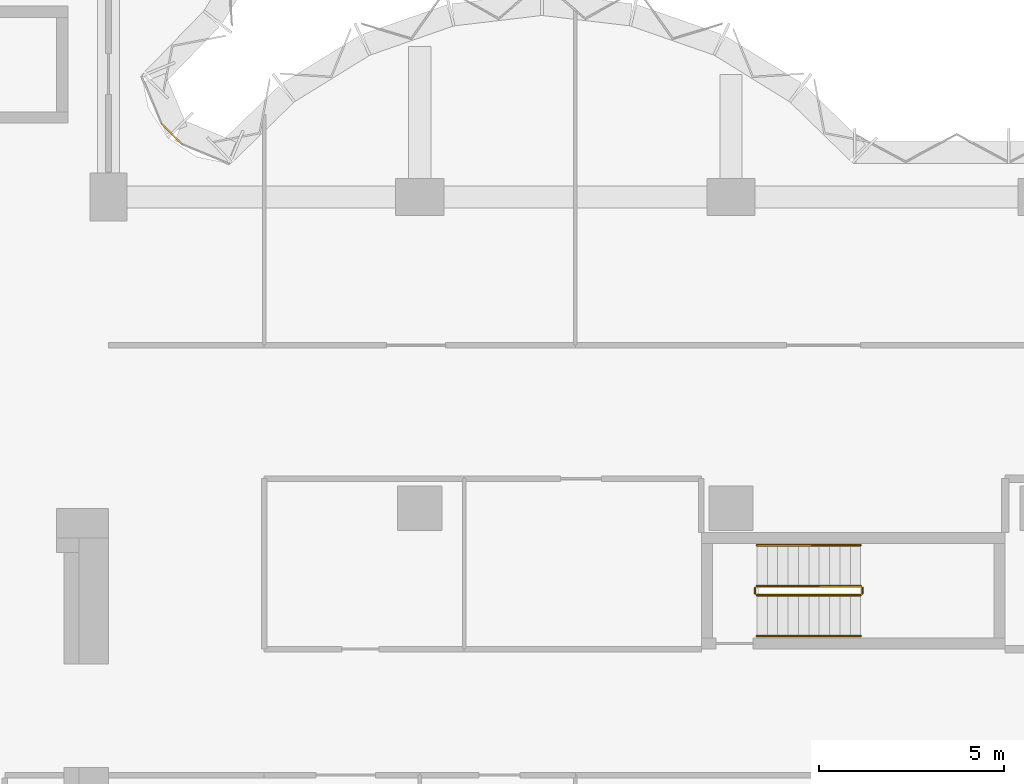
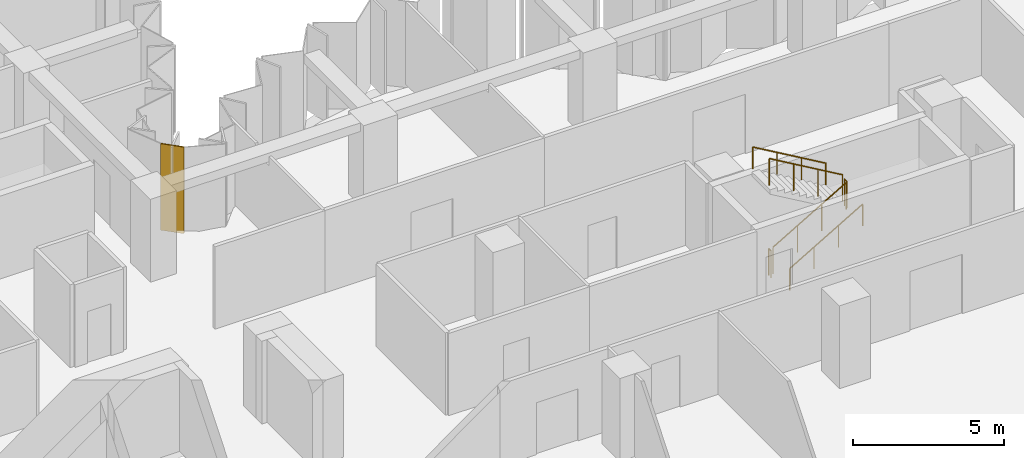
# One storey, part 13 of 13: 6 railings, 1 covering, 1 element without a shape of its own.
"""IFC4 building model written with IfcOpenShell, lengths in metres."""

from ifc_helpers import new_model, si_unit, direction, frame, origin, origin_2d, place, context, subcontext, project, spatial, polyline, circle, outline, extrude, material, layer, layer_set, type_object, element, aggregate, save


model = new_model("IFC4")

# Units and contexts
model_context = context("Model", 3, precision=1e-05, world=origin(), true_north=direction((0.0, 1.0)))
body_context = subcontext(model_context, "Body", "Model", "MODEL_VIEW")
ifc_project = project(units=[si_unit("LENGTHUNIT", "METRE"), si_unit("AREAUNIT", "SQUARE_METRE"), si_unit("VOLUMEUNIT", "CUBIC_METRE"), si_unit("PLANEANGLEUNIT", "RADIAN"), si_unit("MASSUNIT", "GRAM", prefix="KILO")], contexts=[model_context])

# Site, building, storey
site_placement = place(None, origin())
site = spatial("IfcSite", under=ifc_project, at=site_placement, CompositionType="ELEMENT")
building_placement = place(site_placement, origin())
building = spatial("IfcBuilding", under=site, at=building_placement, Name="Brevane Broadcast Tower", CompositionType="ELEMENT")
storey_placement = place(building_placement, frame((0.0, 0.0, 95.300048828125)))
storey = spatial("IfcBuildingStorey", under=building, at=storey_placement, Name="L22", CompositionType="ELEMENT", Elevation=95.300048828125)

# Railings
ifc_material_1 = material(Name="Steel S355", Category="steel")
railing_type_1 = type_object("IfcRailingType", Name="Exit stair guard", PredefinedType="GUARDRAIL", material=ifc_material_1)
railing_1_placement = place(storey_placement, frame((42.699951171875, 14.449951171875, 0.16357421875)))
element("IfcRailing", 1, at=railing_1_placement, inside=storey, type_object=railing_type_1, Name="L22 ST-4 stair guard 1", PredefinedType="GUARDRAIL", context=body_context, shape_type="SweptSolid", body=[
    extrude(circle(Radius=0.02392578125, at=origin_2d()), frame((0.0, 0.0, 1.076171875), z_axis=(0.863360870873, 0.0, 0.504586966384), x_axis=(0.0, 1.0, 0.0)), (0.0, 0.0, 1.0), 3.2431640625),
    extrude(circle(Radius=0.02099609375, at=origin_2d()), origin(), (0.0, 0.0, 1.0), 1.052001953125),
    extrude(circle(Radius=0.02099609375, at=origin_2d()), frame((0.933349609375, 0.0, 0.54541015625)), (0.0, 0.0, 1.0), 1.052001953125),
    extrude(circle(Radius=0.02099609375, at=origin_2d()), frame((1.86669921875, 0.0, 1.091064453125)), (0.0, 0.0, 1.0), 1.052001953125),
    extrude(circle(Radius=0.02099609375, at=origin_2d()), frame((2.800048828125, 0.0, 1.636474609375)), (0.0, 0.0, 1.0), 1.052001953125),
])
railing_2_placement = place(storey_placement, frame((45.550048828125, 14.5, 1.800048828125)))
element("IfcRailing", 2, at=railing_2_placement, inside=storey, type_object=railing_type_1, Name="L22 ST-4 stair guard 2", PredefinedType="GUARDRAIL", context=body_context, shape_type="SweptSolid", body=[
    extrude(circle(Radius=0.02392578125, at=origin_2d()), frame((0.0, 0.0, 1.076171875), z_axis=(0.0, 1.0, 0.0), x_axis=(-1.0, 0.0, 0.0)), (0.0, 0.0, 1.0), 0.14990234375),
    extrude(circle(Radius=0.02099609375, at=origin_2d()), origin(), (0.0, 0.0, 1.0), 1.052001953125),
    extrude(circle(Radius=0.02099609375, at=origin_2d()), frame((0.0, 0.14990234375, 0.0)), (0.0, 0.0, 1.0), 1.052001953125),
])
railing_3_placement = place(storey_placement, frame((45.5, 14.699951171875, 1.963623046875)))
element("IfcRailing", 3, at=railing_3_placement, inside=storey, type_object=railing_type_1, Name="L22 ST-4 stair guard 3", PredefinedType="GUARDRAIL", context=body_context, shape_type="SweptSolid", body=[
    extrude(circle(Radius=0.02392578125, at=origin_2d()), frame((0.0, 0.0, 1.076171875), z_axis=(-0.863393664356, 0.0, 0.504530851732), x_axis=(0.0, -1.0, 0.0)), (0.0, 0.0, 1.0), 3.2431640625),
    extrude(circle(Radius=0.02099609375, at=origin_2d()), origin(), (0.0, 0.0, 1.0), 1.052001953125),
    extrude(circle(Radius=0.02099609375, at=origin_2d()), frame((-0.933349609375, 0.0, 0.54541015625)), (0.0, 0.0, 1.0), 1.052001953125),
    extrude(circle(Radius=0.02099609375, at=origin_2d()), frame((-1.86669921875, 0.0, 1.0908203125)), (0.0, 0.0, 1.0), 1.052001953125),
    extrude(circle(Radius=0.02099609375, at=origin_2d()), frame((-2.800048828125, 0.0, 1.63623046875)), (0.0, 0.0, 1.0), 1.052001953125),
])
railing_4_placement = place(storey_placement, frame((42.64990234375, 14.5, 0.0)))
element("IfcRailing", 4, at=railing_4_placement, inside=storey, type_object=railing_type_1, Name="L22 ST-4 stair guard 4", PredefinedType="GUARDRAIL", context=body_context, shape_type="SweptSolid", body=[
    extrude(circle(Radius=0.02392578125, at=origin_2d()), frame((0.0, 0.0, 1.076171875), z_axis=(0.0, 1.0, 0.0), x_axis=(-1.0, 0.0, 0.0)), (0.0, 0.0, 1.0), 0.14990234375),
    extrude(circle(Radius=0.02099609375, at=origin_2d()), origin(), (0.0, 0.0, 1.0), 1.052001953125),
    extrude(circle(Radius=0.02099609375, at=origin_2d()), frame((0.0, 0.14990234375, 0.0)), (0.0, 0.0, 1.0), 1.052001953125),
])
railing_type_2 = type_object("IfcRailingType", Name="Exit stair handrail", PredefinedType="HANDRAIL", material=ifc_material_1)
railing_5_placement = place(storey_placement, frame((42.699951171875, 13.35009765625, 0.16357421875)))
element("IfcRailing", 5, at=railing_5_placement, inside=storey, type_object=railing_type_2, Name="L22 ST-4 stair handrail 1", PredefinedType="HANDRAIL", context=body_context, shape_type="SweptSolid", body=[
    extrude(circle(Radius=0.02392578125, at=origin_2d()), frame((0.0, 0.0, 0.8759765625), z_axis=(0.863360870873, 0.0, 0.504586966384), x_axis=(0.0, 1.0, 0.0)), (0.0, 0.0, 1.0), 3.2431640625),
    extrude(circle(Radius=0.02099609375, at=origin_2d()), origin(), (0.0, 0.0, 1.0), 0.851806640625),
    extrude(circle(Radius=0.02099609375, at=origin_2d()), frame((0.933349609375, 0.0, 0.54541015625)), (0.0, 0.0, 1.0), 0.851806640625),
    extrude(circle(Radius=0.02099609375, at=origin_2d()), frame((1.86669921875, 0.0, 1.091064453125)), (0.0, 0.0, 1.0), 0.851806640625),
    extrude(circle(Radius=0.02099609375, at=origin_2d()), frame((2.800048828125, 0.0, 1.636474609375)), (0.0, 0.0, 1.0), 0.851806640625),
])
railing_6_placement = place(storey_placement, frame((45.5, 15.800048828125, 1.963623046875)))
element("IfcRailing", 6, at=railing_6_placement, inside=storey, type_object=railing_type_2, Name="L22 ST-4 stair handrail 2", PredefinedType="HANDRAIL", context=body_context, shape_type="SweptSolid", body=[
    extrude(circle(Radius=0.02392578125, at=origin_2d()), frame((0.0, 0.0, 0.8759765625), z_axis=(-0.863393664356, 0.0, 0.504530851732), x_axis=(0.0, -1.0, 0.0)), (0.0, 0.0, 1.0), 3.2431640625),
    extrude(circle(Radius=0.02099609375, at=origin_2d()), origin(), (0.0, 0.0, 1.0), 0.851806640625),
    extrude(circle(Radius=0.02099609375, at=origin_2d()), frame((-0.933349609375, 0.0, 0.54541015625)), (0.0, 0.0, 1.0), 0.851806640625),
    extrude(circle(Radius=0.02099609375, at=origin_2d()), frame((-1.86669921875, 0.0, 1.0908203125)), (0.0, 0.0, 1.0), 0.851806640625),
    extrude(circle(Radius=0.02099609375, at=origin_2d()), frame((-2.800048828125, 0.0, 1.63623046875)), (0.0, 0.0, 1.0), 0.851806640625),
])

# Curtain wall, covering
ifc_material_2 = material(Name="Aluminium 6063-T6 bronze anodised", Category="aluminium")
curtain_wall_type = type_object("IfcCurtainWallType", Name="CW-1 curtain wall", PredefinedType="NOTDEFINED", material=ifc_material_2)
curtain_wall_placement = place(storey_placement, origin())
curtain_wall = element("IfcCurtainWall", 7, at=curtain_wall_placement, inside=storey, type_object=curtain_wall_type, Name="CW-1 typical tilted unit L22 inner corner", PredefinedType="NOTDEFINED")
ifc_material_3 = material(Name="Back-painted bronze glass shadow-box", Category="glass")
ifc_layer = layer(ifc_material_3, 0.0400390625)
ifc_layer_set = layer_set([ifc_layer], Name="Shadow-box panel 40")
covering_type = type_object("IfcCoveringType", Name="Shadow-box panel 40", PredefinedType="CLADDING", material=ifc_layer_set)
covering_placement = place(storey_placement, frame((0.0, 0.0, -0.150146484375)))
covering = element("IfcCovering", 8, at=covering_placement, type_object=covering_type, Name="Closure panel", PredefinedType="CLADDING", context=body_context, shape_type="SweptSolid", body=[
    extrude(outline(polyline([(27.17138671875, 26.60498046875), (27.2021484375, 26.635498046875), (26.635498046875, 27.2021484375), (26.60498046875, 27.17138671875), (27.17138671875, 26.60498046875)])), origin(), (0.0, 0.0, 1.0), 3.5),
])
aggregate(curtain_wall, [covering])

save(model, "model.ifc")
